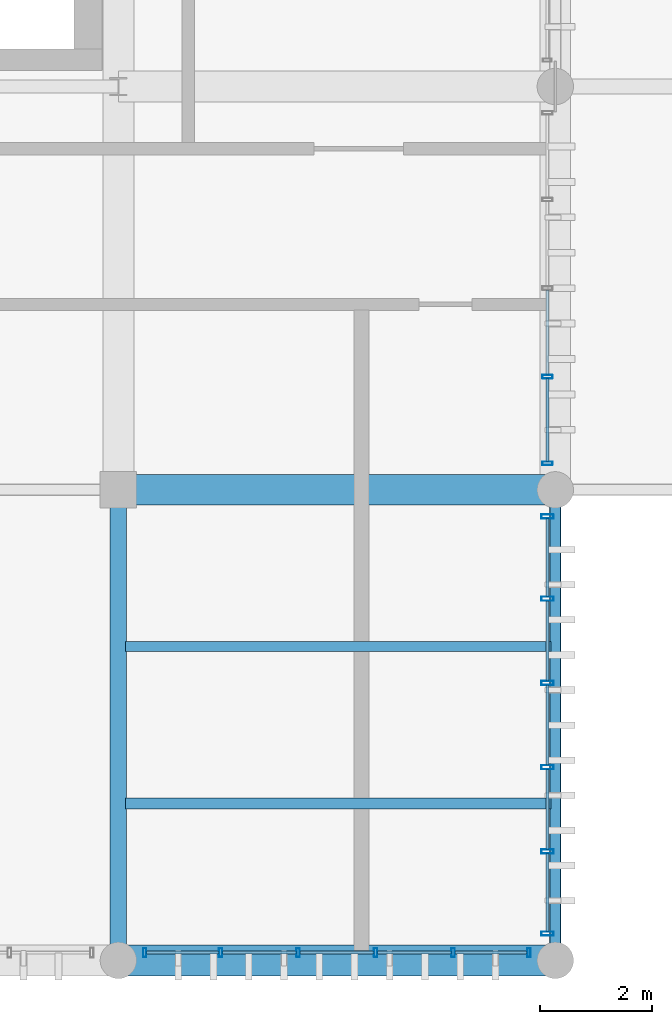
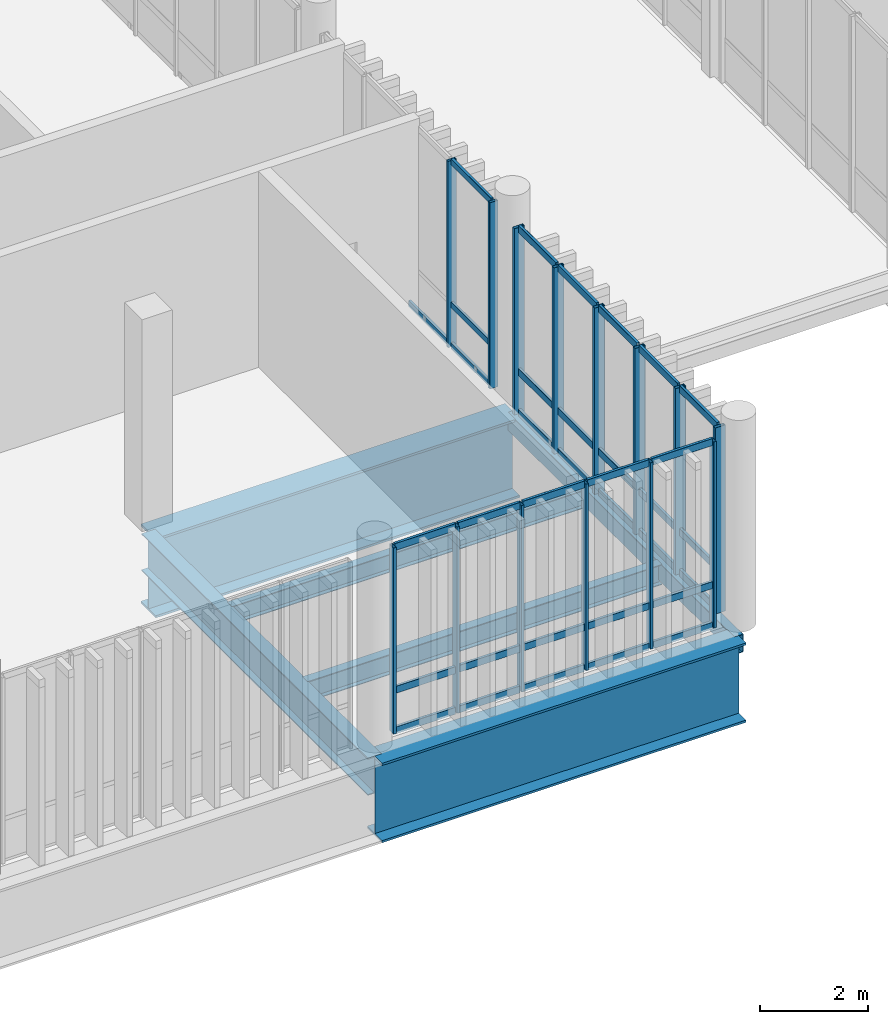
# One storey, part 19 of 81: 48 members, 6 beams, 3 elements without a shape of their own.
"""IFC4 building model written with IfcOpenShell, lengths in metres."""

from ifc_helpers import new_model, si_unit, direction, frame, origin_with_axes, origin_2d_with_axis, place, context, subcontext, project, spatial, hollow_rectangle, i_section, extrude, material, material_profile, profile_set, type_object, element, aggregate, save


model = new_model("IFC4")

# Units and contexts
model_context = context("Model", 3, precision=1e-05, world=origin_with_axes(), true_north=direction((0.0, 1.0)))
body_context = subcontext(model_context, "Body", "Model", "MODEL_VIEW")
ifc_project = project(units=[si_unit("LENGTHUNIT", "METRE"), si_unit("AREAUNIT", "SQUARE_METRE"), si_unit("VOLUMEUNIT", "CUBIC_METRE"), si_unit("PLANEANGLEUNIT", "RADIAN"), si_unit("MASSUNIT", "GRAM", prefix="KILO"), si_unit("THERMODYNAMICTEMPERATUREUNIT", "KELVIN")], contexts=[model_context])

# Site, building, storey
site_placement = place(None, origin_with_axes())
site = spatial("IfcSite", under=ifc_project, at=site_placement, CompositionType="ELEMENT")
building_placement = place(site_placement, origin_with_axes())
building = spatial("IfcBuilding", under=site, at=building_placement, Name="Montbau Bow Law Courts", CompositionType="ELEMENT")
storey_placement = place(building_placement, frame((0.0, 0.0, 24.9), z_axis=(0.0, 0.0, 1.0), x_axis=(1.0, 0.0, 0.0)))
storey = spatial("IfcBuildingStorey", under=building, at=storey_placement, Name="L05", CompositionType="ELEMENT", Elevation=24.9)

# Beams
ifc_material_1 = material(Name="Steel CSA G40.21 Grade 350W (350 MPa)", Category="steel")
ifc_material_profile_1 = material_profile(ifc_material_1, i_section(OverallWidth=0.293, OverallDepth=0.846, WebThickness=0.0154, FlangeThickness=0.0244, at=origin_2d_with_axis()), Name="W840X210", Category="Main", Priority=0)
ifc_profile_set_1 = profile_set([ifc_material_profile_1], Name="Steel CSA G40.21 Grade 350W (350 MPa)")
beam_type_1 = type_object("IfcBeamType", Name="B-FLR-02", PredefinedType="BEAM", material=ifc_profile_set_1)
beam_1_placement = place(None, frame((39.0, 30.6, 24.177), z_axis=(0.0, 1.0, 0.0), x_axis=(-1.0, 0.0, 0.0)))
element("IfcBeam", 1, at=beam_1_placement, inside=storey, type_object=beam_type_1, Name="BM-L05-S0664:bm2_0667", PredefinedType="BEAM", context=body_context, shape_type="SweptSolid", body=[
    extrude(i_section(OverallWidth=0.293, OverallDepth=0.846, WebThickness=0.0154, FlangeThickness=0.0244, at=origin_2d_with_axis()), origin_with_axes(), (0.0, 0.0, 1.0), 8.4),
])
ifc_material_profile_2 = material_profile(ifc_material_1, i_section(OverallWidth=0.191, OverallDepth=0.46, WebThickness=0.0099, FlangeThickness=0.016, at=origin_2d_with_axis()), Name="W460X82", Category="Main", Priority=0)
ifc_profile_set_2 = profile_set([ifc_material_profile_2], Name="Steel CSA G40.21 Grade 350W (350 MPa)")
beam_type_2 = type_object("IfcBeamType", Name="B-JST-01", PredefinedType="JOIST", material=ifc_profile_set_2)
beam_2_placement = place(None, frame((39.123, 33.4, 24.37), z_axis=(1.0, 0.0, 0.0), x_axis=(0.0, 1.0, 0.0)))
element("IfcBeam", 2, at=beam_2_placement, inside=storey, type_object=beam_type_2, Name="JST-L05-S0328:jst2_0328", PredefinedType="JOIST", context=body_context, shape_type="SweptSolid", body=[
    extrude(i_section(OverallWidth=0.191, OverallDepth=0.46, WebThickness=0.0099, FlangeThickness=0.016, at=origin_2d_with_axis()), origin_with_axes(), (0.0, 0.0, 1.0), 7.597),
])
ifc_material_profile_3 = material_profile(ifc_material_1, i_section(OverallWidth=0.179, OverallDepth=0.41, WebThickness=0.0088, FlangeThickness=0.0144, at=origin_2d_with_axis()), Name="W410X67", Category="Main", Priority=0)
ifc_profile_set_3 = profile_set([ifc_material_profile_3], Name="Steel CSA G40.21 Grade 350W (350 MPa)")
beam_type_3 = type_object("IfcBeamType", Name="B-JST-02", PredefinedType="JOIST", material=ifc_profile_set_3)
beam_3_placement = place(None, frame((39.123, 36.2, 24.395), z_axis=(1.0, 0.0, 0.0), x_axis=(0.0, 1.0, 0.0)))
element("IfcBeam", 3, at=beam_3_placement, inside=storey, type_object=beam_type_3, Name="JST-L05-S0329:jst2_0329", PredefinedType="JOIST", context=body_context, shape_type="SweptSolid", body=[
    extrude(i_section(OverallWidth=0.179, OverallDepth=0.41, WebThickness=0.0088, FlangeThickness=0.0144, at=origin_2d_with_axis()), origin_with_axes(), (0.0, 0.0, 1.0), 7.597),
])
ifc_material_2 = material(Name="Steel CSA G40.21 Grade 350WT (350 MPa)", Category="steel")
ifc_material_profile_4 = material_profile(ifc_material_2, hollow_rectangle(XDim=0.203, YDim=0.406, WallThickness=0.0127, InnerFilletRadius=0.0254, OuterFilletRadius=0.0127, at=origin_2d_with_axis()), Name="HSS406X203X13", Category="Main", Priority=0)
ifc_profile_set_4 = profile_set([ifc_material_profile_4], Name="Steel CSA G40.21 Grade 350WT (350 MPa)")
beam_type_4 = type_object("IfcBeamType", Name="B-SPN-01", PredefinedType="SPANDREL", material=ifc_profile_set_4)
beam_4_placement = place(None, frame((46.8, 30.6, 24.397), z_axis=(0.0, 1.0, 0.0), x_axis=(-1.0, 0.0, 0.0)))
element("IfcBeam", 4, at=beam_4_placement, inside=storey, type_object=beam_type_4, Name="SPN-L05-S0665:bm2_0668", PredefinedType="SPANDREL", context=body_context, shape_type="SweptSolid", body=[
    extrude(hollow_rectangle(XDim=0.203, YDim=0.406, WallThickness=0.0127, InnerFilletRadius=0.0254, OuterFilletRadius=0.0127, at=origin_2d_with_axis()), origin_with_axes(), (0.0, 0.0, 1.0), 8.4),
])
ifc_material_profile_5 = material_profile(ifc_material_2, i_section(OverallWidth=0.55, OverallDepth=1.8, WebThickness=0.022, FlangeThickness=0.05, at=origin_2d_with_axis()), Name="WWF1800X550", Category="Main", Priority=0)
ifc_profile_set_5 = profile_set([ifc_material_profile_5], Name="Steel CSA G40.21 Grade 350WT (350 MPa)")
beam_type_5 = type_object("IfcBeamType", Name="B-TRG-01", PredefinedType="USERDEFINED", material=ifc_profile_set_5)
for number, where, z_axis, x_axis, name in (
    (5, (39.0, 30.6, 23.7), (1.0, 0.0, 0.0), (0.0, 1.0, 0.0), "TRG-L05-S0052:bm2_0055"),
    (6, (39.0, 39.0, 23.7), (1.0, 0.0, 0.0), (0.0, 1.0, 0.0), "TRG-L05-S0054:bm2_0057"),
):
    element("IfcBeam", number, at=place(None, frame(where, z_axis=z_axis, x_axis=x_axis)), inside=storey, type_object=beam_type_5, Name=name, ObjectType="GIRDER", PredefinedType="USERDEFINED", context=body_context, shape_type="SweptSolid", body=[
        extrude(i_section(OverallWidth=0.55, OverallDepth=1.8, WebThickness=0.022, FlangeThickness=0.05, at=origin_2d_with_axis()), origin_with_axes(), (0.0, 0.0, 1.0), 7.8),
    ])

# Curtain wall, members
ifc_material_3 = material(Name="Thermally Broken Extruded Aluminium AA 6063-T6", Category="aluminium")
curtain_wall_type = type_object("IfcCurtainWallType", Name="CW-TRC-02", PredefinedType="NOTDEFINED", material=ifc_material_3)
curtain_wall_1_placement = place(None, frame((46.66, 31.04, 24.9), z_axis=(0.0, 0.0, 1.0), x_axis=(1.0, 0.0, 0.0)))
curtain_wall_1 = element("IfcCurtainWall", 7, at=curtain_wall_1_placement, inside=storey, type_object=curtain_wall_type, Name="CW-L05-090:cw_0090", PredefinedType="NOTDEFINED")
ifc_material_profile_6 = material_profile(ifc_material_3, hollow_rectangle(XDim=0.075, YDim=0.22, WallThickness=0.005, InnerFilletRadius=0.01, OuterFilletRadius=0.005, at=origin_2d_with_axis()), Name="CWM-220X75", Category="Main", Priority=0)
ifc_profile_set_6 = profile_set([ifc_material_profile_6], Name="Thermally Broken Extruded Aluminium AA 6063-T6")
member_type_1 = type_object("IfcMemberType", Name="M-MUL-01", PredefinedType="MULLION", material=ifc_profile_set_6)
member_1_placement = place(None, frame((46.66, 31.077, 24.9), z_axis=(0.0, 0.0, 1.0), x_axis=(0.0, 1.0, 0.0)))
member_1 = element("IfcMember", 8, at=member_1_placement, type_object=member_type_1, Name="CW-L05-090-M01:cw_0090_M01", PredefinedType="MULLION", context=body_context, shape_type="SweptSolid", body=[
    extrude(hollow_rectangle(XDim=0.075, YDim=0.22, WallThickness=0.005, InnerFilletRadius=0.01, OuterFilletRadius=0.005, at=origin_2d_with_axis()), origin_with_axes(), (0.0, 0.0, 1.0), 4.22),
])
member_2_placement = place(None, frame((46.66, 32.544, 24.9), z_axis=(0.0, 0.0, 1.0), x_axis=(0.0, 1.0, 0.0)))
member_2 = element("IfcMember", 9, at=member_2_placement, type_object=member_type_1, Name="CW-L05-090-M02:cw_0090_M02", PredefinedType="MULLION", context=body_context, shape_type="SweptSolid", body=[
    extrude(hollow_rectangle(XDim=0.075, YDim=0.22, WallThickness=0.005, InnerFilletRadius=0.01, OuterFilletRadius=0.005, at=origin_2d_with_axis()), origin_with_axes(), (0.0, 0.0, 1.0), 4.22),
])
member_3_placement = place(None, frame((46.66, 34.048, 24.9), z_axis=(0.0, 0.0, 1.0), x_axis=(0.0, 1.0, 0.0)))
member_3 = element("IfcMember", 10, at=member_3_placement, type_object=member_type_1, Name="CW-L05-090-M03:cw_0090_M03", PredefinedType="MULLION", context=body_context, shape_type="SweptSolid", body=[
    extrude(hollow_rectangle(XDim=0.075, YDim=0.22, WallThickness=0.005, InnerFilletRadius=0.01, OuterFilletRadius=0.005, at=origin_2d_with_axis()), origin_with_axes(), (0.0, 0.0, 1.0), 4.22),
])
member_4_placement = place(None, frame((46.66, 35.552, 24.9), z_axis=(0.0, 0.0, 1.0), x_axis=(0.0, 1.0, 0.0)))
member_4 = element("IfcMember", 11, at=member_4_placement, type_object=member_type_1, Name="CW-L05-090-M04:cw_0090_M04", PredefinedType="MULLION", context=body_context, shape_type="SweptSolid", body=[
    extrude(hollow_rectangle(XDim=0.075, YDim=0.22, WallThickness=0.005, InnerFilletRadius=0.01, OuterFilletRadius=0.005, at=origin_2d_with_axis()), origin_with_axes(), (0.0, 0.0, 1.0), 4.22),
])
member_5_placement = place(None, frame((46.66, 37.056, 24.9), z_axis=(0.0, 0.0, 1.0), x_axis=(0.0, 1.0, 0.0)))
member_5 = element("IfcMember", 12, at=member_5_placement, type_object=member_type_1, Name="CW-L05-090-M05:cw_0090_M05", PredefinedType="MULLION", context=body_context, shape_type="SweptSolid", body=[
    extrude(hollow_rectangle(XDim=0.075, YDim=0.22, WallThickness=0.005, InnerFilletRadius=0.01, OuterFilletRadius=0.005, at=origin_2d_with_axis()), origin_with_axes(), (0.0, 0.0, 1.0), 4.22),
])
member_6_placement = place(None, frame((46.66, 38.523, 24.9), z_axis=(0.0, 0.0, 1.0), x_axis=(0.0, 1.0, 0.0)))
member_6 = element("IfcMember", 13, at=member_6_placement, type_object=member_type_1, Name="CW-L05-090-M06:cw_0090_M06", PredefinedType="MULLION", context=body_context, shape_type="SweptSolid", body=[
    extrude(hollow_rectangle(XDim=0.075, YDim=0.22, WallThickness=0.005, InnerFilletRadius=0.01, OuterFilletRadius=0.005, at=origin_2d_with_axis()), origin_with_axes(), (0.0, 0.0, 1.0), 4.22),
])

curtain_wall_2_placement = place(None, frame((46.66, 39.44, 24.9), z_axis=(0.0, 0.0, 1.0), x_axis=(1.0, 0.0, 0.0)))
curtain_wall_2 = element("IfcCurtainWall", 14, at=curtain_wall_2_placement, inside=storey, type_object=curtain_wall_type, Name="CW-L05-091:cw_0091", PredefinedType="NOTDEFINED")
ifc_material_profile_7 = material_profile(ifc_material_3, hollow_rectangle(XDim=0.065, YDim=0.18, WallThickness=0.005, InnerFilletRadius=0.01, OuterFilletRadius=0.005, at=origin_2d_with_axis()), Name="CWM-180X65", Category="Main", Priority=0)
ifc_profile_set_7 = profile_set([ifc_material_profile_7], Name="Thermally Broken Extruded Aluminium AA 6063-T6")
member_type_2 = type_object("IfcMemberType", Name="M-MUL-02", PredefinedType="MULLION", material=ifc_profile_set_7)
member_7_placement = place(None, frame((46.66, 39.473, 24.9), z_axis=(0.0, 0.0, 1.0), x_axis=(0.0, 1.0, 0.0)))
member_7 = element("IfcMember", 15, at=member_7_placement, type_object=member_type_2, Name="CW-L05-091-M01:cw_0091_M01", PredefinedType="MULLION", context=body_context, shape_type="SweptSolid", body=[
    extrude(hollow_rectangle(XDim=0.065, YDim=0.18, WallThickness=0.005, InnerFilletRadius=0.01, OuterFilletRadius=0.005, at=origin_2d_with_axis()), origin_with_axes(), (0.0, 0.0, 1.0), 4.22),
])
member_8_placement = place(None, frame((46.66, 41.02, 24.9), z_axis=(0.0, 0.0, 1.0), x_axis=(0.0, 1.0, 0.0)))
member_8 = element("IfcMember", 16, at=member_8_placement, type_object=member_type_2, Name="CW-L05-091-M02:cw_0091_M02", PredefinedType="MULLION", context=body_context, shape_type="SweptSolid", body=[
    extrude(hollow_rectangle(XDim=0.065, YDim=0.18, WallThickness=0.005, InnerFilletRadius=0.01, OuterFilletRadius=0.005, at=origin_2d_with_axis()), origin_with_axes(), (0.0, 0.0, 1.0), 4.22),
])

curtain_wall_3_placement = place(None, frame((39.44, 30.74, 24.9), z_axis=(0.0, 0.0, 1.0), x_axis=(1.0, 0.0, 0.0)))
curtain_wall_3 = element("IfcCurtainWall", 17, at=curtain_wall_3_placement, inside=storey, type_object=curtain_wall_type, Name="CW-L05-080:cw_0080", PredefinedType="NOTDEFINED")
ifc_material_profile_8 = material_profile(ifc_material_3, hollow_rectangle(XDim=0.06, YDim=0.16, WallThickness=0.004, InnerFilletRadius=0.008, OuterFilletRadius=0.004, at=origin_2d_with_axis()), Name="CWM-160X60", Category="Main", Priority=0)
ifc_profile_set_8 = profile_set([ifc_material_profile_8], Name="Thermally Broken Extruded Aluminium AA 6063-T6")
member_type_3 = type_object("IfcMemberType", Name="M-MUL-03", PredefinedType="MULLION", material=ifc_profile_set_8)
member_9_placement = place(None, frame((39.47, 30.74, 24.9), z_axis=(0.0, 0.0, 1.0), x_axis=(1.0, 0.0, 0.0)))
member_9 = element("IfcMember", 18, at=member_9_placement, type_object=member_type_3, Name="CW-L05-080-M01:cw_0080_M01", PredefinedType="MULLION", context=body_context, shape_type="SweptSolid", body=[
    extrude(hollow_rectangle(XDim=0.06, YDim=0.16, WallThickness=0.004, InnerFilletRadius=0.008, OuterFilletRadius=0.004, at=origin_2d_with_axis()), origin_with_axes(), (0.0, 0.0, 1.0), 4.22),
])
member_10_placement = place(None, frame((40.824, 30.74, 24.9), z_axis=(0.0, 0.0, 1.0), x_axis=(1.0, 0.0, 0.0)))
member_10 = element("IfcMember", 19, at=member_10_placement, type_object=member_type_3, Name="CW-L05-080-M02:cw_0080_M02", PredefinedType="MULLION", context=body_context, shape_type="SweptSolid", body=[
    extrude(hollow_rectangle(XDim=0.06, YDim=0.16, WallThickness=0.004, InnerFilletRadius=0.008, OuterFilletRadius=0.004, at=origin_2d_with_axis()), origin_with_axes(), (0.0, 0.0, 1.0), 4.22),
])
member_11_placement = place(None, frame((42.208, 30.74, 24.9), z_axis=(0.0, 0.0, 1.0), x_axis=(1.0, 0.0, 0.0)))
member_11 = element("IfcMember", 20, at=member_11_placement, type_object=member_type_3, Name="CW-L05-080-M03:cw_0080_M03", PredefinedType="MULLION", context=body_context, shape_type="SweptSolid", body=[
    extrude(hollow_rectangle(XDim=0.06, YDim=0.16, WallThickness=0.004, InnerFilletRadius=0.008, OuterFilletRadius=0.004, at=origin_2d_with_axis()), origin_with_axes(), (0.0, 0.0, 1.0), 4.22),
])
member_12_placement = place(None, frame((43.592, 30.74, 24.9), z_axis=(0.0, 0.0, 1.0), x_axis=(1.0, 0.0, 0.0)))
member_12 = element("IfcMember", 21, at=member_12_placement, type_object=member_type_3, Name="CW-L05-080-M04:cw_0080_M04", PredefinedType="MULLION", context=body_context, shape_type="SweptSolid", body=[
    extrude(hollow_rectangle(XDim=0.06, YDim=0.16, WallThickness=0.004, InnerFilletRadius=0.008, OuterFilletRadius=0.004, at=origin_2d_with_axis()), origin_with_axes(), (0.0, 0.0, 1.0), 4.22),
])
member_13_placement = place(None, frame((44.976, 30.74, 24.9), z_axis=(0.0, 0.0, 1.0), x_axis=(1.0, 0.0, 0.0)))
member_13 = element("IfcMember", 22, at=member_13_placement, type_object=member_type_3, Name="CW-L05-080-M05:cw_0080_M05", PredefinedType="MULLION", context=body_context, shape_type="SweptSolid", body=[
    extrude(hollow_rectangle(XDim=0.06, YDim=0.16, WallThickness=0.004, InnerFilletRadius=0.008, OuterFilletRadius=0.004, at=origin_2d_with_axis()), origin_with_axes(), (0.0, 0.0, 1.0), 4.22),
])
member_14_placement = place(None, frame((46.33, 30.74, 24.9), z_axis=(0.0, 0.0, 1.0), x_axis=(1.0, 0.0, 0.0)))
member_14 = element("IfcMember", 23, at=member_14_placement, type_object=member_type_3, Name="CW-L05-080-M06:cw_0080_M06", PredefinedType="MULLION", context=body_context, shape_type="SweptSolid", body=[
    extrude(hollow_rectangle(XDim=0.06, YDim=0.16, WallThickness=0.004, InnerFilletRadius=0.008, OuterFilletRadius=0.004, at=origin_2d_with_axis()), origin_with_axes(), (0.0, 0.0, 1.0), 4.22),
])
ifc_material_profile_9 = material_profile(ifc_material_3, hollow_rectangle(XDim=0.06, YDim=0.16, WallThickness=0.004, InnerFilletRadius=0.008, OuterFilletRadius=0.004, at=origin_2d_with_axis()), Name="CWT-160X60", Category="Main", Priority=0)
ifc_profile_set_9 = profile_set([ifc_material_profile_9], Name="Thermally Broken Extruded Aluminium AA 6063-T6")
member_type_4 = type_object("IfcMemberType", Name="M-TRN-01", PredefinedType="USERDEFINED", material=ifc_profile_set_9)
member_15_placement = place(None, frame((39.502, 30.74, 24.93), z_axis=(1.0, 0.0, 0.0), x_axis=(0.0, 1.0, 0.0)))
member_15 = element("IfcMember", 24, at=member_15_placement, type_object=member_type_4, Name="CW-L05-080-T01-1:cw_0080_T01_1", ObjectType="TRANSOM", PredefinedType="USERDEFINED", context=body_context, shape_type="SweptSolid", body=[
    extrude(hollow_rectangle(XDim=0.06, YDim=0.16, WallThickness=0.004, InnerFilletRadius=0.008, OuterFilletRadius=0.004, at=origin_2d_with_axis()), origin_with_axes(), (0.0, 0.0, 1.0), 1.29),
])
member_16_placement = place(None, frame((39.502, 30.74, 25.85), z_axis=(1.0, 0.0, 0.0), x_axis=(0.0, 1.0, 0.0)))
member_16 = element("IfcMember", 25, at=member_16_placement, type_object=member_type_4, Name="CW-L05-080-T01-2:cw_0080_T01_2", ObjectType="TRANSOM", PredefinedType="USERDEFINED", context=body_context, shape_type="SweptSolid", body=[
    extrude(hollow_rectangle(XDim=0.06, YDim=0.16, WallThickness=0.004, InnerFilletRadius=0.008, OuterFilletRadius=0.004, at=origin_2d_with_axis()), origin_with_axes(), (0.0, 0.0, 1.0), 1.29),
])
member_17_placement = place(None, frame((39.502, 30.74, 29.09), z_axis=(1.0, 0.0, 0.0), x_axis=(0.0, 1.0, 0.0)))
member_17 = element("IfcMember", 26, at=member_17_placement, type_object=member_type_4, Name="CW-L05-080-T01-3:cw_0080_T01_3", ObjectType="TRANSOM", PredefinedType="USERDEFINED", context=body_context, shape_type="SweptSolid", body=[
    extrude(hollow_rectangle(XDim=0.06, YDim=0.16, WallThickness=0.004, InnerFilletRadius=0.008, OuterFilletRadius=0.004, at=origin_2d_with_axis()), origin_with_axes(), (0.0, 0.0, 1.0), 1.29),
])
member_18_placement = place(None, frame((40.856, 30.74, 24.93), z_axis=(1.0, 0.0, 0.0), x_axis=(0.0, 1.0, 0.0)))
member_18 = element("IfcMember", 27, at=member_18_placement, type_object=member_type_4, Name="CW-L05-080-T02-1:cw_0080_T02_1", ObjectType="TRANSOM", PredefinedType="USERDEFINED", context=body_context, shape_type="SweptSolid", body=[
    extrude(hollow_rectangle(XDim=0.06, YDim=0.16, WallThickness=0.004, InnerFilletRadius=0.008, OuterFilletRadius=0.004, at=origin_2d_with_axis()), origin_with_axes(), (0.0, 0.0, 1.0), 1.32),
])
member_19_placement = place(None, frame((40.856, 30.74, 25.85), z_axis=(1.0, 0.0, 0.0), x_axis=(0.0, 1.0, 0.0)))
member_19 = element("IfcMember", 28, at=member_19_placement, type_object=member_type_4, Name="CW-L05-080-T02-2:cw_0080_T02_2", ObjectType="TRANSOM", PredefinedType="USERDEFINED", context=body_context, shape_type="SweptSolid", body=[
    extrude(hollow_rectangle(XDim=0.06, YDim=0.16, WallThickness=0.004, InnerFilletRadius=0.008, OuterFilletRadius=0.004, at=origin_2d_with_axis()), origin_with_axes(), (0.0, 0.0, 1.0), 1.32),
])
member_20_placement = place(None, frame((40.856, 30.74, 29.09), z_axis=(1.0, 0.0, 0.0), x_axis=(0.0, 1.0, 0.0)))
member_20 = element("IfcMember", 29, at=member_20_placement, type_object=member_type_4, Name="CW-L05-080-T02-3:cw_0080_T02_3", ObjectType="TRANSOM", PredefinedType="USERDEFINED", context=body_context, shape_type="SweptSolid", body=[
    extrude(hollow_rectangle(XDim=0.06, YDim=0.16, WallThickness=0.004, InnerFilletRadius=0.008, OuterFilletRadius=0.004, at=origin_2d_with_axis()), origin_with_axes(), (0.0, 0.0, 1.0), 1.32),
])
member_21_placement = place(None, frame((42.24, 30.74, 24.93), z_axis=(1.0, 0.0, 0.0), x_axis=(0.0, 1.0, 0.0)))
member_21 = element("IfcMember", 30, at=member_21_placement, type_object=member_type_4, Name="CW-L05-080-T03-1:cw_0080_T03_1", ObjectType="TRANSOM", PredefinedType="USERDEFINED", context=body_context, shape_type="SweptSolid", body=[
    extrude(hollow_rectangle(XDim=0.06, YDim=0.16, WallThickness=0.004, InnerFilletRadius=0.008, OuterFilletRadius=0.004, at=origin_2d_with_axis()), origin_with_axes(), (0.0, 0.0, 1.0), 1.32),
])
member_22_placement = place(None, frame((42.24, 30.74, 25.85), z_axis=(1.0, 0.0, 0.0), x_axis=(0.0, 1.0, 0.0)))
member_22 = element("IfcMember", 31, at=member_22_placement, type_object=member_type_4, Name="CW-L05-080-T03-2:cw_0080_T03_2", ObjectType="TRANSOM", PredefinedType="USERDEFINED", context=body_context, shape_type="SweptSolid", body=[
    extrude(hollow_rectangle(XDim=0.06, YDim=0.16, WallThickness=0.004, InnerFilletRadius=0.008, OuterFilletRadius=0.004, at=origin_2d_with_axis()), origin_with_axes(), (0.0, 0.0, 1.0), 1.32),
])
member_23_placement = place(None, frame((42.24, 30.74, 29.09), z_axis=(1.0, 0.0, 0.0), x_axis=(0.0, 1.0, 0.0)))
member_23 = element("IfcMember", 32, at=member_23_placement, type_object=member_type_4, Name="CW-L05-080-T03-3:cw_0080_T03_3", ObjectType="TRANSOM", PredefinedType="USERDEFINED", context=body_context, shape_type="SweptSolid", body=[
    extrude(hollow_rectangle(XDim=0.06, YDim=0.16, WallThickness=0.004, InnerFilletRadius=0.008, OuterFilletRadius=0.004, at=origin_2d_with_axis()), origin_with_axes(), (0.0, 0.0, 1.0), 1.32),
])
member_24_placement = place(None, frame((43.624, 30.74, 24.93), z_axis=(1.0, 0.0, 0.0), x_axis=(0.0, 1.0, 0.0)))
member_24 = element("IfcMember", 33, at=member_24_placement, type_object=member_type_4, Name="CW-L05-080-T04-1:cw_0080_T04_1", ObjectType="TRANSOM", PredefinedType="USERDEFINED", context=body_context, shape_type="SweptSolid", body=[
    extrude(hollow_rectangle(XDim=0.06, YDim=0.16, WallThickness=0.004, InnerFilletRadius=0.008, OuterFilletRadius=0.004, at=origin_2d_with_axis()), origin_with_axes(), (0.0, 0.0, 1.0), 1.32),
])
member_25_placement = place(None, frame((43.624, 30.74, 25.85), z_axis=(1.0, 0.0, 0.0), x_axis=(0.0, 1.0, 0.0)))
member_25 = element("IfcMember", 34, at=member_25_placement, type_object=member_type_4, Name="CW-L05-080-T04-2:cw_0080_T04_2", ObjectType="TRANSOM", PredefinedType="USERDEFINED", context=body_context, shape_type="SweptSolid", body=[
    extrude(hollow_rectangle(XDim=0.06, YDim=0.16, WallThickness=0.004, InnerFilletRadius=0.008, OuterFilletRadius=0.004, at=origin_2d_with_axis()), origin_with_axes(), (0.0, 0.0, 1.0), 1.32),
])
member_26_placement = place(None, frame((43.624, 30.74, 29.09), z_axis=(1.0, 0.0, 0.0), x_axis=(0.0, 1.0, 0.0)))
member_26 = element("IfcMember", 35, at=member_26_placement, type_object=member_type_4, Name="CW-L05-080-T04-3:cw_0080_T04_3", ObjectType="TRANSOM", PredefinedType="USERDEFINED", context=body_context, shape_type="SweptSolid", body=[
    extrude(hollow_rectangle(XDim=0.06, YDim=0.16, WallThickness=0.004, InnerFilletRadius=0.008, OuterFilletRadius=0.004, at=origin_2d_with_axis()), origin_with_axes(), (0.0, 0.0, 1.0), 1.32),
])
member_27_placement = place(None, frame((45.008, 30.74, 24.93), z_axis=(1.0, 0.0, 0.0), x_axis=(0.0, 1.0, 0.0)))
member_27 = element("IfcMember", 36, at=member_27_placement, type_object=member_type_4, Name="CW-L05-080-T05-1:cw_0080_T05_1", ObjectType="TRANSOM", PredefinedType="USERDEFINED", context=body_context, shape_type="SweptSolid", body=[
    extrude(hollow_rectangle(XDim=0.06, YDim=0.16, WallThickness=0.004, InnerFilletRadius=0.008, OuterFilletRadius=0.004, at=origin_2d_with_axis()), origin_with_axes(), (0.0, 0.0, 1.0), 1.29),
])
member_28_placement = place(None, frame((45.008, 30.74, 25.85), z_axis=(1.0, 0.0, 0.0), x_axis=(0.0, 1.0, 0.0)))
member_28 = element("IfcMember", 37, at=member_28_placement, type_object=member_type_4, Name="CW-L05-080-T05-2:cw_0080_T05_2", ObjectType="TRANSOM", PredefinedType="USERDEFINED", context=body_context, shape_type="SweptSolid", body=[
    extrude(hollow_rectangle(XDim=0.06, YDim=0.16, WallThickness=0.004, InnerFilletRadius=0.008, OuterFilletRadius=0.004, at=origin_2d_with_axis()), origin_with_axes(), (0.0, 0.0, 1.0), 1.29),
])
member_29_placement = place(None, frame((45.008, 30.74, 29.09), z_axis=(1.0, 0.0, 0.0), x_axis=(0.0, 1.0, 0.0)))
member_29 = element("IfcMember", 38, at=member_29_placement, type_object=member_type_4, Name="CW-L05-080-T05-3:cw_0080_T05_3", ObjectType="TRANSOM", PredefinedType="USERDEFINED", context=body_context, shape_type="SweptSolid", body=[
    extrude(hollow_rectangle(XDim=0.06, YDim=0.16, WallThickness=0.004, InnerFilletRadius=0.008, OuterFilletRadius=0.004, at=origin_2d_with_axis()), origin_with_axes(), (0.0, 0.0, 1.0), 1.29),
])
aggregate(curtain_wall_3, [member_9, member_10, member_11, member_12, member_13, member_14, member_15, member_16, member_17, member_18, member_19, member_20, member_21, member_22, member_23, member_24, member_25, member_26, member_27, member_28, member_29])

# Member
member_30_placement = place(None, frame((46.66, 31.116, 24.93), z_axis=(0.0, 1.0, 0.0), x_axis=(-1.0, 0.0, 0.0)))
member_30 = element("IfcMember", 39, at=member_30_placement, type_object=member_type_4, Name="CW-L05-090-T01-1:cw_0090_T01_1", ObjectType="TRANSOM", PredefinedType="USERDEFINED", context=body_context, shape_type="SweptSolid", body=[
    extrude(hollow_rectangle(XDim=0.06, YDim=0.16, WallThickness=0.004, InnerFilletRadius=0.008, OuterFilletRadius=0.004, at=origin_2d_with_axis()), origin_with_axes(), (0.0, 0.0, 1.0), 1.388),
])

member_31_placement = place(None, frame((46.66, 31.116, 25.85), z_axis=(0.0, 1.0, 0.0), x_axis=(-1.0, 0.0, 0.0)))
member_31 = element("IfcMember", 40, at=member_31_placement, type_object=member_type_4, Name="CW-L05-090-T01-2:cw_0090_T01_2", ObjectType="TRANSOM", PredefinedType="USERDEFINED", context=body_context, shape_type="SweptSolid", body=[
    extrude(hollow_rectangle(XDim=0.06, YDim=0.16, WallThickness=0.004, InnerFilletRadius=0.008, OuterFilletRadius=0.004, at=origin_2d_with_axis()), origin_with_axes(), (0.0, 0.0, 1.0), 1.388),
])

member_32_placement = place(None, frame((46.66, 31.116, 29.09), z_axis=(0.0, 1.0, 0.0), x_axis=(-1.0, 0.0, 0.0)))
member_32 = element("IfcMember", 41, at=member_32_placement, type_object=member_type_4, Name="CW-L05-090-T01-3:cw_0090_T01_3", ObjectType="TRANSOM", PredefinedType="USERDEFINED", context=body_context, shape_type="SweptSolid", body=[
    extrude(hollow_rectangle(XDim=0.06, YDim=0.16, WallThickness=0.004, InnerFilletRadius=0.008, OuterFilletRadius=0.004, at=origin_2d_with_axis()), origin_with_axes(), (0.0, 0.0, 1.0), 1.388),
])

member_33_placement = place(None, frame((46.66, 32.584, 24.93), z_axis=(0.0, 1.0, 0.0), x_axis=(-1.0, 0.0, 0.0)))
member_33 = element("IfcMember", 42, at=member_33_placement, type_object=member_type_4, Name="CW-L05-090-T02-1:cw_0090_T02_1", ObjectType="TRANSOM", PredefinedType="USERDEFINED", context=body_context, shape_type="SweptSolid", body=[
    extrude(hollow_rectangle(XDim=0.06, YDim=0.16, WallThickness=0.004, InnerFilletRadius=0.008, OuterFilletRadius=0.004, at=origin_2d_with_axis()), origin_with_axes(), (0.0, 0.0, 1.0), 1.425),
])

member_34_placement = place(None, frame((46.66, 32.584, 25.85), z_axis=(0.0, 1.0, 0.0), x_axis=(-1.0, 0.0, 0.0)))
member_34 = element("IfcMember", 43, at=member_34_placement, type_object=member_type_4, Name="CW-L05-090-T02-2:cw_0090_T02_2", ObjectType="TRANSOM", PredefinedType="USERDEFINED", context=body_context, shape_type="SweptSolid", body=[
    extrude(hollow_rectangle(XDim=0.06, YDim=0.16, WallThickness=0.004, InnerFilletRadius=0.008, OuterFilletRadius=0.004, at=origin_2d_with_axis()), origin_with_axes(), (0.0, 0.0, 1.0), 1.425),
])

member_35_placement = place(None, frame((46.66, 32.584, 29.09), z_axis=(0.0, 1.0, 0.0), x_axis=(-1.0, 0.0, 0.0)))
member_35 = element("IfcMember", 44, at=member_35_placement, type_object=member_type_4, Name="CW-L05-090-T02-3:cw_0090_T02_3", ObjectType="TRANSOM", PredefinedType="USERDEFINED", context=body_context, shape_type="SweptSolid", body=[
    extrude(hollow_rectangle(XDim=0.06, YDim=0.16, WallThickness=0.004, InnerFilletRadius=0.008, OuterFilletRadius=0.004, at=origin_2d_with_axis()), origin_with_axes(), (0.0, 0.0, 1.0), 1.425),
])

member_36_placement = place(None, frame((46.66, 34.087, 24.93), z_axis=(0.0, 1.0, 0.0), x_axis=(-1.0, 0.0, 0.0)))
member_36 = element("IfcMember", 45, at=member_36_placement, type_object=member_type_4, Name="CW-L05-090-T03-1:cw_0090_T03_1", ObjectType="TRANSOM", PredefinedType="USERDEFINED", context=body_context, shape_type="SweptSolid", body=[
    extrude(hollow_rectangle(XDim=0.06, YDim=0.16, WallThickness=0.004, InnerFilletRadius=0.008, OuterFilletRadius=0.004, at=origin_2d_with_axis()), origin_with_axes(), (0.0, 0.0, 1.0), 1.426),
])

member_37_placement = place(None, frame((46.66, 34.087, 25.85), z_axis=(0.0, 1.0, 0.0), x_axis=(-1.0, 0.0, 0.0)))
member_37 = element("IfcMember", 46, at=member_37_placement, type_object=member_type_4, Name="CW-L05-090-T03-2:cw_0090_T03_2", ObjectType="TRANSOM", PredefinedType="USERDEFINED", context=body_context, shape_type="SweptSolid", body=[
    extrude(hollow_rectangle(XDim=0.06, YDim=0.16, WallThickness=0.004, InnerFilletRadius=0.008, OuterFilletRadius=0.004, at=origin_2d_with_axis()), origin_with_axes(), (0.0, 0.0, 1.0), 1.426),
])

member_38_placement = place(None, frame((46.66, 34.087, 29.09), z_axis=(0.0, 1.0, 0.0), x_axis=(-1.0, 0.0, 0.0)))
member_38 = element("IfcMember", 47, at=member_38_placement, type_object=member_type_4, Name="CW-L05-090-T03-3:cw_0090_T03_3", ObjectType="TRANSOM", PredefinedType="USERDEFINED", context=body_context, shape_type="SweptSolid", body=[
    extrude(hollow_rectangle(XDim=0.06, YDim=0.16, WallThickness=0.004, InnerFilletRadius=0.008, OuterFilletRadius=0.004, at=origin_2d_with_axis()), origin_with_axes(), (0.0, 0.0, 1.0), 1.426),
])

member_39_placement = place(None, frame((46.66, 35.591, 24.93), z_axis=(0.0, 1.0, 0.0), x_axis=(-1.0, 0.0, 0.0)))
member_39 = element("IfcMember", 48, at=member_39_placement, type_object=member_type_4, Name="CW-L05-090-T04-1:cw_0090_T04_1", ObjectType="TRANSOM", PredefinedType="USERDEFINED", context=body_context, shape_type="SweptSolid", body=[
    extrude(hollow_rectangle(XDim=0.06, YDim=0.16, WallThickness=0.004, InnerFilletRadius=0.008, OuterFilletRadius=0.004, at=origin_2d_with_axis()), origin_with_axes(), (0.0, 0.0, 1.0), 1.426),
])

member_40_placement = place(None, frame((46.66, 35.591, 25.85), z_axis=(0.0, 1.0, 0.0), x_axis=(-1.0, 0.0, 0.0)))
member_40 = element("IfcMember", 49, at=member_40_placement, type_object=member_type_4, Name="CW-L05-090-T04-2:cw_0090_T04_2", ObjectType="TRANSOM", PredefinedType="USERDEFINED", context=body_context, shape_type="SweptSolid", body=[
    extrude(hollow_rectangle(XDim=0.06, YDim=0.16, WallThickness=0.004, InnerFilletRadius=0.008, OuterFilletRadius=0.004, at=origin_2d_with_axis()), origin_with_axes(), (0.0, 0.0, 1.0), 1.426),
])

member_41_placement = place(None, frame((46.66, 35.591, 29.09), z_axis=(0.0, 1.0, 0.0), x_axis=(-1.0, 0.0, 0.0)))
member_41 = element("IfcMember", 50, at=member_41_placement, type_object=member_type_4, Name="CW-L05-090-T04-3:cw_0090_T04_3", ObjectType="TRANSOM", PredefinedType="USERDEFINED", context=body_context, shape_type="SweptSolid", body=[
    extrude(hollow_rectangle(XDim=0.06, YDim=0.16, WallThickness=0.004, InnerFilletRadius=0.008, OuterFilletRadius=0.004, at=origin_2d_with_axis()), origin_with_axes(), (0.0, 0.0, 1.0), 1.426),
])

member_42_placement = place(None, frame((46.66, 37.095, 24.93), z_axis=(0.0, 1.0, 0.0), x_axis=(-1.0, 0.0, 0.0)))
member_42 = element("IfcMember", 51, at=member_42_placement, type_object=member_type_4, Name="CW-L05-090-T05-1:cw_0090_T05_1", ObjectType="TRANSOM", PredefinedType="USERDEFINED", context=body_context, shape_type="SweptSolid", body=[
    extrude(hollow_rectangle(XDim=0.06, YDim=0.16, WallThickness=0.004, InnerFilletRadius=0.008, OuterFilletRadius=0.004, at=origin_2d_with_axis()), origin_with_axes(), (0.0, 0.0, 1.0), 1.389),
])

member_43_placement = place(None, frame((46.66, 37.095, 25.85), z_axis=(0.0, 1.0, 0.0), x_axis=(-1.0, 0.0, 0.0)))
member_43 = element("IfcMember", 52, at=member_43_placement, type_object=member_type_4, Name="CW-L05-090-T05-2:cw_0090_T05_2", ObjectType="TRANSOM", PredefinedType="USERDEFINED", context=body_context, shape_type="SweptSolid", body=[
    extrude(hollow_rectangle(XDim=0.06, YDim=0.16, WallThickness=0.004, InnerFilletRadius=0.008, OuterFilletRadius=0.004, at=origin_2d_with_axis()), origin_with_axes(), (0.0, 0.0, 1.0), 1.389),
])

member_44_placement = place(None, frame((46.66, 37.095, 29.09), z_axis=(0.0, 1.0, 0.0), x_axis=(-1.0, 0.0, 0.0)))
member_44 = element("IfcMember", 53, at=member_44_placement, type_object=member_type_4, Name="CW-L05-090-T05-3:cw_0090_T05_3", ObjectType="TRANSOM", PredefinedType="USERDEFINED", context=body_context, shape_type="SweptSolid", body=[
    extrude(hollow_rectangle(XDim=0.06, YDim=0.16, WallThickness=0.004, InnerFilletRadius=0.008, OuterFilletRadius=0.004, at=origin_2d_with_axis()), origin_with_axes(), (0.0, 0.0, 1.0), 1.389),
])

aggregate(curtain_wall_1, [member_1, member_2, member_3, member_4, member_5, member_6, member_30, member_31, member_32, member_33, member_34, member_35, member_36, member_37, member_38, member_39, member_40, member_41, member_42, member_43, member_44])

ifc_material_profile_10 = material_profile(ifc_material_3, hollow_rectangle(XDim=0.055, YDim=0.14, WallThickness=0.004, InnerFilletRadius=0.008, OuterFilletRadius=0.004, at=origin_2d_with_axis()), Name="CWT-140X55", Category="Main", Priority=0)
ifc_profile_set_10 = profile_set([ifc_material_profile_10], Name="Thermally Broken Extruded Aluminium AA 6063-T6")
member_type_5 = type_object("IfcMemberType", Name="M-TRN-02", PredefinedType="USERDEFINED", material=ifc_profile_set_10)
member_45_placement = place(None, frame((46.66, 39.508, 24.927), z_axis=(0.0, 1.0, 0.0), x_axis=(-1.0, 0.0, 0.0)))
member_45 = element("IfcMember", 54, at=member_45_placement, type_object=member_type_5, Name="CW-L05-091-T01-1:cw_0091_T01_1", ObjectType="TRANSOM", PredefinedType="USERDEFINED", context=body_context, shape_type="SweptSolid", body=[
    extrude(hollow_rectangle(XDim=0.055, YDim=0.14, WallThickness=0.004, InnerFilletRadius=0.008, OuterFilletRadius=0.004, at=origin_2d_with_axis()), origin_with_axes(), (0.0, 0.0, 1.0), 1.478),
])

member_46_placement = place(None, frame((46.66, 39.508, 25.85), z_axis=(0.0, 1.0, 0.0), x_axis=(-1.0, 0.0, 0.0)))
member_46 = element("IfcMember", 55, at=member_46_placement, type_object=member_type_5, Name="CW-L05-091-T01-2:cw_0091_T01_2", ObjectType="TRANSOM", PredefinedType="USERDEFINED", context=body_context, shape_type="SweptSolid", body=[
    extrude(hollow_rectangle(XDim=0.055, YDim=0.14, WallThickness=0.004, InnerFilletRadius=0.008, OuterFilletRadius=0.004, at=origin_2d_with_axis()), origin_with_axes(), (0.0, 0.0, 1.0), 1.478),
])

member_47_placement = place(None, frame((46.66, 39.508, 29.093), z_axis=(0.0, 1.0, 0.0), x_axis=(-1.0, 0.0, 0.0)))
member_47 = element("IfcMember", 56, at=member_47_placement, type_object=member_type_5, Name="CW-L05-091-T01-3:cw_0091_T01_3", ObjectType="TRANSOM", PredefinedType="USERDEFINED", context=body_context, shape_type="SweptSolid", body=[
    extrude(hollow_rectangle(XDim=0.055, YDim=0.14, WallThickness=0.004, InnerFilletRadius=0.008, OuterFilletRadius=0.004, at=origin_2d_with_axis()), origin_with_axes(), (0.0, 0.0, 1.0), 1.478),
])

member_48_placement = place(None, frame((46.66, 41.055, 24.927), z_axis=(0.0, 1.0, 0.0), x_axis=(-1.0, 0.0, 0.0)))
member_48 = element("IfcMember", 57, at=member_48_placement, type_object=member_type_5, Name="CW-L05-091-T02-1:cw_0091_T02_1", ObjectType="TRANSOM", PredefinedType="USERDEFINED", context=body_context, shape_type="SweptSolid", body=[
    extrude(hollow_rectangle(XDim=0.055, YDim=0.14, WallThickness=0.004, InnerFilletRadius=0.008, OuterFilletRadius=0.004, at=origin_2d_with_axis()), origin_with_axes(), (0.0, 0.0, 1.0), 1.511),
])

aggregate(curtain_wall_2, [member_7, member_8, member_45, member_46, member_47, member_48])

save(model, "model.ifc")
